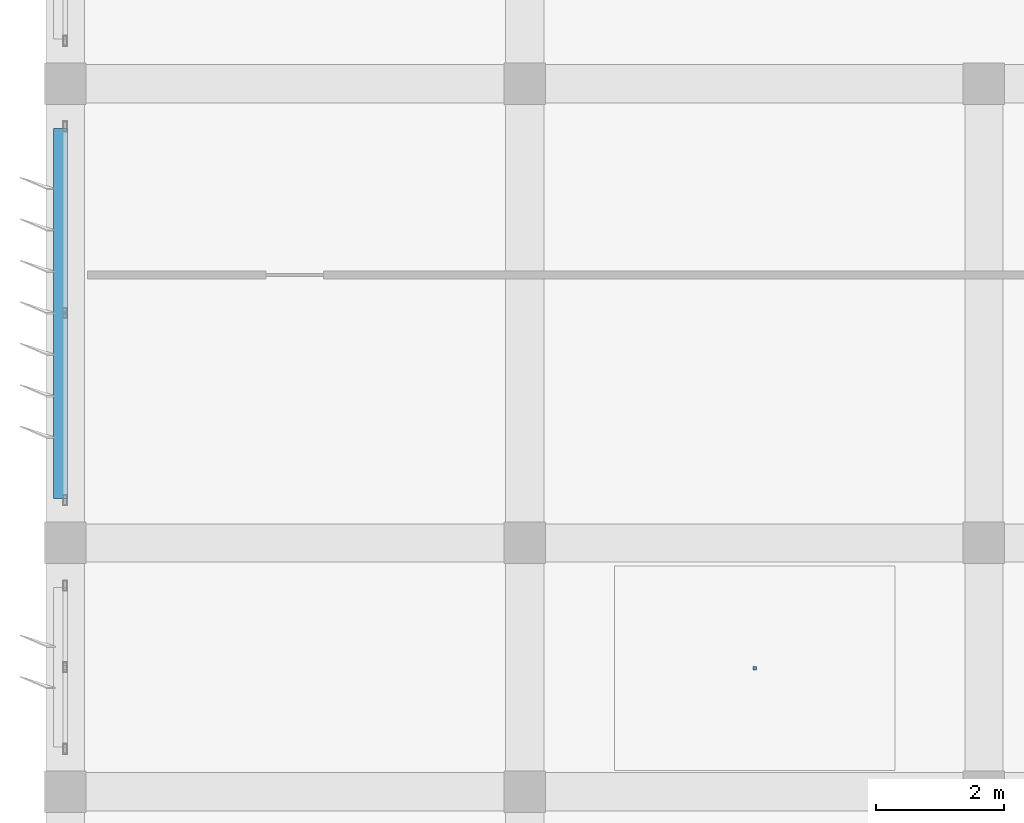
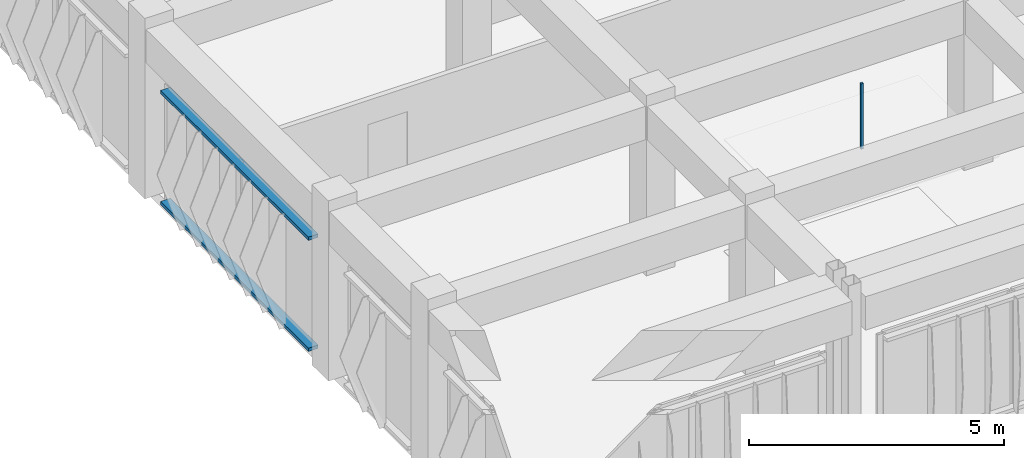
# One storey, part 37 of 53: 3 discrete accessories.
"""IFC4 building model written with IfcOpenShell, lengths in metres."""

from ifc_helpers import new_model, si_unit, direction, frame, origin, origin_2d, place, context, subcontext, project, spatial, rectangle, extrude, material, type_object, element, save


model = new_model("IFC4")

# Units and contexts
model_context = context("Model", 3, precision=1e-05, world=origin(), true_north=direction((0.0, 1.0)))
body_context = subcontext(model_context, "Body", "Model", "MODEL_VIEW")
ifc_project = project(units=[si_unit("LENGTHUNIT", "METRE"), si_unit("AREAUNIT", "SQUARE_METRE"), si_unit("VOLUMEUNIT", "CUBIC_METRE"), si_unit("PLANEANGLEUNIT", "RADIAN"), si_unit("MASSUNIT", "GRAM", prefix="KILO")], contexts=[model_context])

# Site, building, storey
site_placement = place(None, origin())
site = spatial("IfcSite", under=ifc_project, at=site_placement, CompositionType="ELEMENT")
building_placement = place(site_placement, origin())
building = spatial("IfcBuilding", under=site, at=building_placement, Name="Kazehaya Institute of Natural Sciences", CompositionType="ELEMENT")
storey_placement = place(building_placement, frame((0.0, 0.0, 33.300048828125)))
storey = spatial("IfcBuildingStorey", under=building, at=storey_placement, Name="L07", CompositionType="ELEMENT", Elevation=33.300048828125)

# Discrete accessories
ifc_material_1 = material(Name="Aluminium alloy A6063S-T5", Category="aluminium")
discrete_accessory_type_1 = type_object("IfcDiscreteAccessoryType", Name="ACC-BRK-01", PredefinedType="BRACKET", material=ifc_material_1)
for number, where, z_axis, x_axis, name in (
    (1, (54.52490234375, 17.60009765625, 0.039794921875), (0.0, 0.0, 1.0), (0.0, 1.0, 0.0), "L07 fin support outrigger rail 1"),
    (2, (54.52490234375, 17.60009765625, 2.699951171875), (0.0, 0.0, 1.0), (0.0, 1.0, 0.0), "L07 fin support outrigger rail 2"),
):
    element("IfcDiscreteAccessory", number, at=place(storey_placement, frame(where, z_axis=z_axis, x_axis=x_axis)), inside=storey, type_object=discrete_accessory_type_1, Name=name, PredefinedType="BRACKET", context=body_context, shape_type="SweptSolid", body=[
        extrude(rectangle(XDim=5.800048828125, YDim=0.219970703125, at=origin_2d()), origin(), (0.0, 0.0, 1.0), 0.080078125),
    ])
ifc_material_2 = material(Name="Structural steel SN490B", Category="steel")
discrete_accessory_type_2 = type_object("IfcDiscreteAccessoryType", Name="ACC-CLG-HGR", PredefinedType="BRACKET", material=ifc_material_2)
discrete_accessory_placement = place(storey_placement, frame((65.40771484375, 12.035888671875, 2.67236328125), z_axis=(0.0, 0.0, 1.0), x_axis=(1.0, 0.0, 0.0)))
element("IfcDiscreteAccessory", 3, at=discrete_accessory_placement, inside=storey, type_object=discrete_accessory_type_2, Name="L07 ceiling suspension hanger 64", PredefinedType="BRACKET", context=body_context, shape_type="SweptSolid", body=[
    extrude(rectangle(XDim=0.050048828125, YDim=0.050048828125, at=origin_2d()), origin(), (0.0, 0.0, 1.0), 1.5673828125),
])

save(model, "model.ifc")
